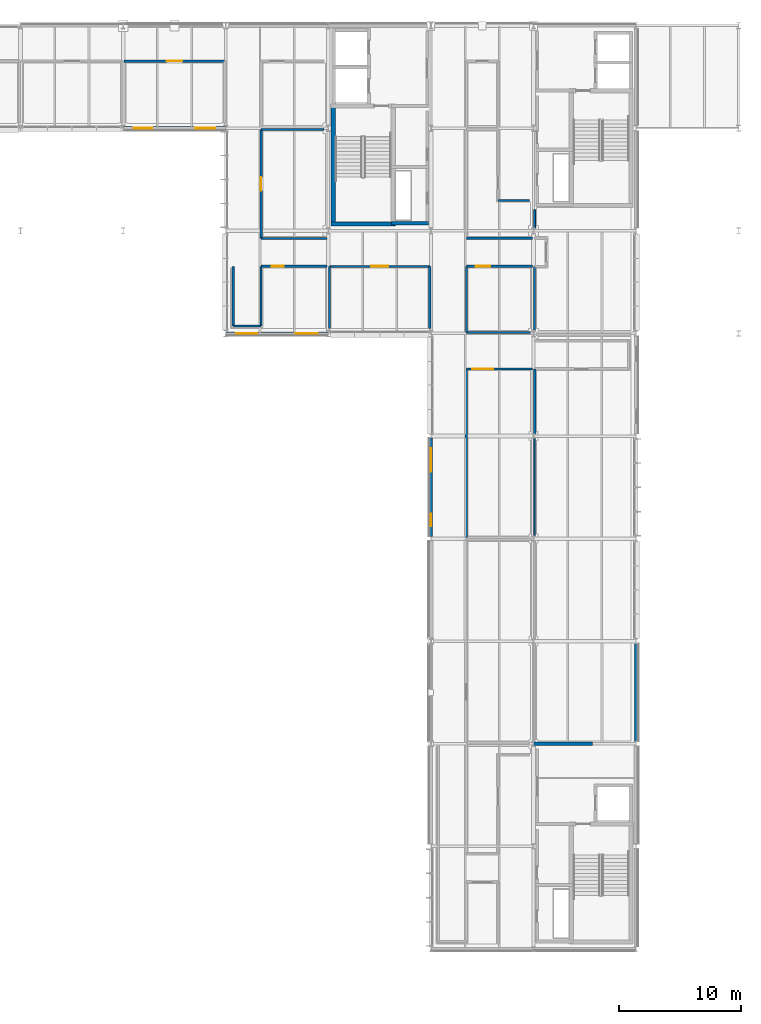
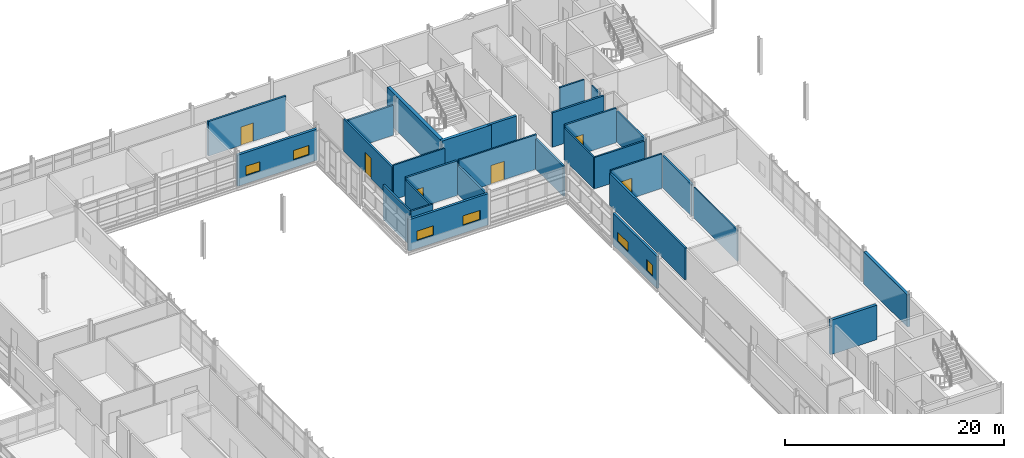
# One storey, part 112 of 131: 30 walls, 6 doors, 6 windows, 12 openings.
"""IFC4 building model written with IfcOpenShell, lengths in metres."""

from ifc_helpers import new_model, si_unit, direction, frame, frame_2d, origin, place, context, subcontext, project, spatial, rectangle, extrude, material, layer, layer_set, type_object, element, fill, save


model = new_model("IFC4")

# Units and contexts
model_context = context("Model", 3, precision=1e-05, world=origin(), true_north=direction((0.0, 1.0)))
body_context = subcontext(model_context, "Body", "Model", "MODEL_VIEW")
ifc_project = project(units=[si_unit("LENGTHUNIT", "METRE"), si_unit("AREAUNIT", "SQUARE_METRE"), si_unit("VOLUMEUNIT", "CUBIC_METRE"), si_unit("PLANEANGLEUNIT", "RADIAN"), si_unit("MASSUNIT", "GRAM", prefix="KILO")], contexts=[model_context])

# Site, building, storey
site_placement = place(None, origin())
site = spatial("IfcSite", under=ifc_project, at=site_placement, CompositionType="ELEMENT")
building_placement = place(site_placement, origin())
building = spatial("IfcBuilding", under=site, at=building_placement, Name="Mersafa Astral City Hall", CompositionType="ELEMENT")
storey_placement = place(building_placement, frame((0.0, 0.0, 13.949951171875)))
storey = spatial("IfcBuildingStorey", under=building, at=storey_placement, Name="L03", CompositionType="ELEMENT", Elevation=13.949951171875)

# Wall, openings, windows
ifc_material_1 = material(Name="Precast concrete C40/50 insulated terracotta spandrel", Category="masonry")
ifc_layer_1 = layer(ifc_material_1, 0.235107421875, Name="Precast concrete C40/50 insulated terracotta spandrel")
ifc_layer_set_1 = layer_set([ifc_layer_1], Name="Precast concrete C40/50 insulated terracotta spandrel — ENV-WAL-EXT-235")
wall_type_1 = type_object("IfcWallType", Name="ENV-WAL-EXT-235", PredefinedType="STANDARD", material=ifc_layer_set_1)
wall_1_placement = place(storey_placement, frame((159.60009765625, 92.25390625, 0.0), z_axis=(0.0, 0.0, 1.0), x_axis=(0.0, -1.0, 0.0)))
wall_1 = element("IfcWall", 1, at=wall_1_placement, inside=storey, type_object=wall_type_1, Name="L03 Limestone-clad exterior wall 239", PredefinedType="STANDARD", context=body_context, shape_type="SweptSolid", body=[
    extrude(rectangle(XDim=8.087890625, YDim=0.235107421875, at=frame_2d((4.0439453125, 0.0))), origin(), (0.0, 0.0, 1.0), 3.56201171875),
])
opening_1_placement = place(wall_1_placement, frame((0.85009765625, 0.0, 0.89990234375)))
opening_1 = element("IfcOpeningElement", 2, at=opening_1_placement, cuts=wall_1, Name="Opening W-10", PredefinedType="OPENING", context=body_context, shape_type="SweptSolid", body=[
    extrude(rectangle(XDim=1.919921875, YDim=1.050048828125, at=frame_2d((0.9599609375, 0.52490234375))), frame((0.0, 0.12744140625, 0.0), z_axis=(0.0, -1.0, 0.0), x_axis=(1.0, 0.0, 0.0)), (0.0, 0.0, 1.0), 0.255126953125),
])
opening_2_placement = place(wall_1_placement, frame((6.218017578125, 0.0, 0.89990234375)))
opening_2 = element("IfcOpeningElement", 3, at=opening_2_placement, cuts=wall_1, Name="Opening W-11", PredefinedType="OPENING", context=body_context, shape_type="SweptSolid", body=[
    extrude(rectangle(XDim=1.02001953125, YDim=1.25, at=frame_2d((0.510009765625, 0.625))), frame((0.0, 0.12744140625, 0.0), z_axis=(0.0, -1.0, 0.0), x_axis=(1.0, 0.0, 0.0)), (0.0, 0.0, 1.0), 0.255126953125),
])
ifc_material_2 = material(Name="Solar control low-e double glazing in bronze frame", Category="glass")
window_type_1 = type_object("IfcWindowType", Name="ENV-WIN-W-10", PartitioningType="SINGLE_PANEL", PredefinedType="WINDOW", material=ifc_material_2)
window_1_placement = place(opening_1_placement, origin())
window_1 = element("IfcWindow", 4, at=window_1_placement, inside=storey, type_object=window_type_1, Name="L03 Solar punched window 239-L", OverallHeight=1.050048828125, OverallWidth=1.919921875, PartitioningType="SINGLE_PANEL", PredefinedType="WINDOW", context=body_context, shape_type="SweptSolid", body=[
    extrude(rectangle(XDim=1.919921875, YDim=1.050048828125, at=frame_2d((0.9599609375, 0.52490234375))), frame((0.0, 0.030029296875, 0.0), z_axis=(0.0, -1.0, 0.0), x_axis=(1.0, 0.0, 0.0)), (0.0, 0.0, 1.0), 0.06005859375),
])
fill(opening_1, window_1)
window_type_2 = type_object("IfcWindowType", Name="ENV-WIN-W-11", PartitioningType="SINGLE_PANEL", PredefinedType="WINDOW", material=ifc_material_2)
window_2_placement = place(opening_2_placement, origin())
window_2 = element("IfcWindow", 5, at=window_2_placement, inside=storey, type_object=window_type_2, Name="L03 Solar punched window 239-R", OverallHeight=1.25, OverallWidth=1.02001953125, PartitioningType="SINGLE_PANEL", PredefinedType="WINDOW", context=body_context, shape_type="SweptSolid", body=[
    extrude(rectangle(XDim=1.02001953125, YDim=1.25, at=frame_2d((0.510009765625, 0.625))), frame((0.0, 0.030029296875, 0.0), z_axis=(0.0, -1.0, 0.0), x_axis=(1.0, 0.0, 0.0)), (0.0, 0.0, 1.0), 0.06005859375),
])
fill(opening_2, window_2)

ifc_layer_2 = layer(ifc_material_1, 0.25, Name="Precast concrete C40/50 insulated terracotta spandrel")
ifc_layer_set_2 = layer_set([ifc_layer_2], Name="Precast concrete C40/50 insulated terracotta spandrel — ENV-WAL-EXT-250")
wall_type_2 = type_object("IfcWallType", Name="ENV-WAL-EXT-250", PredefinedType="STANDARD", material=ifc_layer_set_2)
wall_2_placement = place(storey_placement, frame((142.80810546875, 100.800048828125, 0.0), z_axis=(0.0, 0.0, 1.0), x_axis=(1.0, 0.0, 0.0)))
wall_2 = element("IfcWall", 6, at=wall_2_placement, inside=storey, type_object=wall_type_2, Name="L03 Limestone-clad exterior wall 238", PredefinedType="STANDARD", context=body_context, shape_type="SweptSolid", body=[
    extrude(rectangle(XDim=8.3837890625, YDim=0.25, at=frame_2d((4.19189453125, 0.0))), origin(), (0.0, 0.0, 1.0), 3.51708984375),
])
opening_3_placement = place(wall_2_placement, frame((0.85009765625, 0.0, 0.89990234375)))
opening_3 = element("IfcOpeningElement", 7, at=opening_3_placement, cuts=wall_2, Name="Opening W-08", PredefinedType="OPENING", context=body_context, shape_type="SweptSolid", body=[
    extrude(rectangle(XDim=1.719970703125, YDim=1.050048828125, at=frame_2d((0.85986328125, 0.52490234375))), frame((0.0, 0.135009765625, 0.0), z_axis=(0.0, -1.0, 0.0), x_axis=(1.0, 0.0, 0.0)), (0.0, 0.0, 1.0), 0.27001953125),
])
opening_4_placement = place(wall_2_placement, frame((5.714111328125, 0.0, 0.89990234375)))
opening_4 = element("IfcOpeningElement", 8, at=opening_4_placement, cuts=wall_2, Name="Opening W-09", PredefinedType="OPENING", context=body_context, shape_type="SweptSolid", body=[
    extrude(rectangle(XDim=1.820068359375, YDim=1.050048828125, at=frame_2d((0.91015625, 0.52490234375))), frame((0.0, 0.135009765625, 0.0), z_axis=(0.0, -1.0, 0.0), x_axis=(1.0, 0.0, 0.0)), (0.0, 0.0, 1.0), 0.27001953125),
])
window_type_3 = type_object("IfcWindowType", Name="ENV-WIN-W-08", PartitioningType="SINGLE_PANEL", PredefinedType="WINDOW", material=ifc_material_2)
window_3_placement = place(opening_3_placement, origin())
window_3 = element("IfcWindow", 9, at=window_3_placement, inside=storey, type_object=window_type_3, Name="L03 Solar punched window 238-L", OverallHeight=1.050048828125, OverallWidth=1.719970703125, PartitioningType="SINGLE_PANEL", PredefinedType="WINDOW", context=body_context, shape_type="SweptSolid", body=[
    extrude(rectangle(XDim=1.719970703125, YDim=1.050048828125, at=frame_2d((0.85986328125, 0.52490234375))), frame((0.0, 0.030029296875, 0.0), z_axis=(0.0, -1.0, 0.0), x_axis=(1.0, 0.0, 0.0)), (0.0, 0.0, 1.0), 0.06005859375),
])
fill(opening_3, window_3)
window_type_4 = type_object("IfcWindowType", Name="ENV-WIN-W-09", PartitioningType="SINGLE_PANEL", PredefinedType="WINDOW", material=ifc_material_2)
window_4_placement = place(opening_4_placement, origin())
window_4 = element("IfcWindow", 10, at=window_4_placement, inside=storey, type_object=window_type_4, Name="L03 Solar punched window 238-R", OverallHeight=1.050048828125, OverallWidth=1.820068359375, PartitioningType="SINGLE_PANEL", PredefinedType="WINDOW", context=body_context, shape_type="SweptSolid", body=[
    extrude(rectangle(XDim=1.820068359375, YDim=1.050048828125, at=frame_2d((0.91015625, 0.52490234375))), frame((0.0, 0.030029296875, 0.0), z_axis=(0.0, -1.0, 0.0), x_axis=(1.0, 0.0, 0.0)), (0.0, 0.0, 1.0), 0.06005859375),
])
fill(opening_4, window_4)

ifc_material_3 = material(Name="Precast concrete C40/50 insulated limestone wall", Category="masonry")
ifc_layer_3 = layer(ifc_material_3, 0.264892578125, Name="Precast concrete C40/50 insulated limestone wall")
ifc_layer_set_3 = layer_set([ifc_layer_3], Name="Precast concrete C40/50 insulated limestone wall — ENV-WAL-EXT-265")
wall_type_3 = type_object("IfcWallType", Name="ENV-WAL-EXT-265", PredefinedType="STANDARD", material=ifc_layer_set_3)
wall_3_placement = place(storey_placement, frame((134.407958984375, 117.60009765625, 0.0), z_axis=(0.0, 0.0, 1.0), x_axis=(1.0, 0.0, 0.0)))
wall_3 = element("IfcWall", 11, at=wall_3_placement, inside=storey, type_object=wall_type_3, Name="L03 Limestone-clad exterior wall 237", PredefinedType="STANDARD", context=body_context, shape_type="SweptSolid", body=[
    extrude(rectangle(XDim=8.384033203125, YDim=0.264892578125, at=frame_2d((4.19189453125, 0.0))), origin(), (0.0, 0.0, 1.0), 3.487060546875),
])
opening_5_placement = place(wall_3_placement, frame((0.85009765625, 0.0, 0.89990234375)))
opening_5 = element("IfcOpeningElement", 12, at=opening_5_placement, cuts=wall_3, Name="Opening W-06", PredefinedType="OPENING", context=body_context, shape_type="SweptSolid", body=[
    extrude(rectangle(XDim=1.52001953125, YDim=1.050048828125, at=frame_2d((0.760009765625, 0.52490234375))), frame((0.0, 0.142333984375, 0.0), z_axis=(0.0, -1.0, 0.0), x_axis=(1.0, 0.0, 0.0)), (0.0, 0.0, 1.0), 0.284912109375),
])
opening_6_placement = place(wall_3_placement, frame((5.9140625, 0.0, 0.89990234375)))
opening_6 = element("IfcOpeningElement", 13, at=opening_6_placement, cuts=wall_3, Name="Opening W-07", PredefinedType="OPENING", context=body_context, shape_type="SweptSolid", body=[
    extrude(rectangle(XDim=1.6201171875, YDim=1.050048828125, at=frame_2d((0.81005859375, 0.52490234375))), frame((0.0, 0.142333984375, 0.0), z_axis=(0.0, -1.0, 0.0), x_axis=(1.0, 0.0, 0.0)), (0.0, 0.0, 1.0), 0.284912109375),
])
window_type_5 = type_object("IfcWindowType", Name="ENV-WIN-W-06", PartitioningType="SINGLE_PANEL", PredefinedType="WINDOW", material=ifc_material_2)
window_5_placement = place(opening_5_placement, origin())
window_5 = element("IfcWindow", 14, at=window_5_placement, inside=storey, type_object=window_type_5, Name="L03 Solar punched window 237-L", OverallHeight=1.050048828125, OverallWidth=1.52001953125, PartitioningType="SINGLE_PANEL", PredefinedType="WINDOW", context=body_context, shape_type="SweptSolid", body=[
    extrude(rectangle(XDim=1.52001953125, YDim=1.050048828125, at=frame_2d((0.760009765625, 0.52490234375))), frame((0.0, 0.030029296875, 0.0), z_axis=(0.0, -1.0, 0.0), x_axis=(1.0, 0.0, 0.0)), (0.0, 0.0, 1.0), 0.06005859375),
])
fill(opening_5, window_5)
window_type_6 = type_object("IfcWindowType", Name="ENV-WIN-W-07", PartitioningType="SINGLE_PANEL", PredefinedType="WINDOW", material=ifc_material_2)
window_6_placement = place(opening_6_placement, origin())
window_6 = element("IfcWindow", 15, at=window_6_placement, inside=storey, type_object=window_type_6, Name="L03 Solar punched window 237-R", OverallHeight=1.050048828125, OverallWidth=1.6201171875, PartitioningType="SINGLE_PANEL", PredefinedType="WINDOW", context=body_context, shape_type="SweptSolid", body=[
    extrude(rectangle(XDim=1.6201171875, YDim=1.050048828125, at=frame_2d((0.81005859375, 0.52490234375))), frame((0.0, 0.030029296875, 0.0), z_axis=(0.0, -1.0, 0.0), x_axis=(1.0, 0.0, 0.0)), (0.0, 0.0, 1.0), 0.06005859375),
])
fill(opening_6, window_6)

# Walls
ifc_layer_4 = layer(ifc_material_3, 0.294921875, Name="Precast concrete C40/50 insulated limestone wall")
ifc_layer_set_4 = layer_set([ifc_layer_4], Name="Precast concrete C40/50 insulated limestone wall — ENV-WAL-EXT-295")
wall_type_4 = type_object("IfcWallType", Name="ENV-WAL-EXT-295", PredefinedType="STANDARD", material=ifc_layer_set_4)
wall_4_placement = place(storey_placement, frame((176.39990234375, 67.39599609375, 0.0), z_axis=(0.0, 0.0, 1.0), x_axis=(0.0, 1.0, 0.0)))
element("IfcWall", 16, at=wall_4_placement, inside=storey, type_object=wall_type_4, Name="L03 Limestone-clad exterior wall 247", PredefinedType="STANDARD", context=body_context, shape_type="SweptSolid", body=[
    extrude(rectangle(XDim=8.008056640625, YDim=0.294921875, at=frame_2d((4.00390625, 0.0))), origin(), (0.0, 0.0, 1.0), 3.5771484375),
])
ifc_material_4 = material(Name="Concrete C40/50", Category="concrete")
ifc_layer_5 = layer(ifc_material_4, 0.260009765625, Name="Concrete C40/50")
ifc_layer_set_5 = layer_set([ifc_layer_5], Name="Concrete C40/50 — INT-WAL-CORE-260")
wall_type_5 = type_object("IfcWallType", Name="INT-WAL-CORE-260", PredefinedType="SHEAR", material=ifc_layer_set_5)
wall_5_placement = place(storey_placement, frame((156.364990234375, 109.820068359375, 0.0), z_axis=(0.0, 0.0, 1.0), x_axis=(1.0, 0.0, 0.0)))
element("IfcWall", 17, at=wall_5_placement, inside=storey, type_object=wall_type_5, Name="L03 Core K1 riser south wall", PredefinedType="SHEAR", context=body_context, shape_type="SweptSolid", body=[
    extrude(rectangle(XDim=3.034912109375, YDim=0.260009765625, at=frame_2d((1.517578125, 0.0))), origin(), (0.0, 0.0, 1.0), 3.85009765625),
])
ifc_layer_6 = layer(ifc_material_4, 0.300048828125, Name="Concrete C40/50")
ifc_layer_set_6 = layer_set([ifc_layer_6], Name="Concrete C40/50 — INT-WAL-CORE-300")
wall_type_6 = type_object("IfcWallType", Name="INT-WAL-CORE-300", PredefinedType="SHEAR", material=ifc_layer_set_6)
wall_6_placement = place(storey_placement, frame((167.97998046875, 67.2099609375, 0.0), z_axis=(0.0, 0.0, 1.0), x_axis=(1.0, 0.0, 0.0)))
element("IfcWall", 18, at=wall_6_placement, inside=storey, type_object=wall_type_6, Name="L03 Core K4 lobby north shear wall", PredefinedType="SHEAR", context=body_context, shape_type="SweptSolid", body=[
    extrude(rectangle(XDim=4.8701171875, YDim=0.300048828125, at=frame_2d((2.43505859375, 0.0))), origin(), (0.0, 0.0, 1.0), 3.85009765625),
])
ifc_layer_7 = layer(ifc_material_4, 0.340087890625, Name="Concrete C40/50")
ifc_layer_set_7 = layer_set([ifc_layer_7], Name="Concrete C40/50 — INT-WAL-CORE-340")
wall_type_7 = type_object("IfcWallType", Name="INT-WAL-CORE-340", PredefinedType="SHEAR", material=ifc_layer_set_7)
wall_7_placement = place(storey_placement, frame((151.60498046875, 109.60498046875, 0.0), z_axis=(0.0, 0.0, 1.0), x_axis=(0.0, 1.0, 0.0)))
element("IfcWall", 19, at=wall_7_placement, inside=storey, type_object=wall_type_7, Name="L03 Core K1 stair west shear wall", PredefinedType="SHEAR", context=body_context, shape_type="SweptSolid", body=[
    extrude(rectangle(XDim=9.989990234375, YDim=0.340087890625, at=frame_2d((4.9951171875, 0.0))), origin(), (0.0, 0.0, 1.0), 3.85009765625),
])
wall_8_placement = place(storey_placement, frame((151.43505859375, 109.77490234375, 0.0), z_axis=(0.0, 0.0, 1.0), x_axis=(1.0, 0.0, 0.0)))
element("IfcWall", 20, at=wall_8_placement, inside=storey, type_object=wall_type_7, Name="L03 Core K1 stair south shear wall", PredefinedType="SHEAR", context=body_context, shape_type="SweptSolid", body=[
    extrude(rectangle(XDim=5.25, YDim=0.340087890625, at=frame_2d((2.625, 0.0))), origin(), (0.0, 0.0, 1.0), 3.85009765625),
])
ifc_material_5 = material(Name="Acoustic steel-stud gypsum partition", Category="steel")
ifc_layer_8 = layer(ifc_material_5, 0.135009765625, Name="Acoustic steel-stud gypsum partition")
ifc_layer_set_8 = layer_set([ifc_layer_8], Name="Acoustic steel-stud gypsum partition — INT-WAL-PART-EI30-135")
wall_type_8 = type_object("IfcWallType", Name="INT-WAL-PART-EI30-135", PredefinedType="STANDARD", material=ifc_layer_set_8)
wall_9_placement = place(storey_placement, frame((168.090087890625, 84.260009765625, -0.00390625), z_axis=(0.0, 0.0, 1.0), x_axis=(0.0, 1.0, 0.0)))
element("IfcWall", 21, at=wall_9_placement, inside=storey, type_object=wall_type_8, Name="L03 Interior partition wall 547", PredefinedType="STANDARD", context=body_context, shape_type="SweptSolid", body=[
    extrude(rectangle(XDim=7.966064453125, YDim=0.135009765625, at=frame_2d((3.98291015625, 0.0))), origin(), (0.0, 0.0, 1.0), 3.47607421875),
])
ifc_layer_9 = layer(ifc_material_5, 0.14990234375, Name="Acoustic steel-stud gypsum partition")
ifc_layer_set_9 = layer_set([ifc_layer_9], Name="Acoustic steel-stud gypsum partition — INT-WAL-PART-EI30-150")
wall_type_9 = type_object("IfcWallType", Name="INT-WAL-PART-EI30-150", PredefinedType="STANDARD", material=ifc_layer_set_9)
wall_10_placement = place(storey_placement, frame((168.090087890625, 109.4287109375, -0.00390625), z_axis=(0.0, 0.0, 1.0), x_axis=(0.0, 1.0, 0.0)))
element("IfcWall", 22, at=wall_10_placement, inside=storey, type_object=wall_type_9, Name="L03 Interior partition wall 582", PredefinedType="STANDARD", context=body_context, shape_type="SweptSolid", body=[
    extrude(rectangle(XDim=1.51123046875, YDim=0.14990234375, at=frame_2d((0.755615234375, 0.0))), origin(), (0.0, 0.0, 1.0), 3.5009765625),
])

# Wall, opening, door
ifc_material_6 = material(Name="Fire-rated gypsum stud partition", Category="gypsum")
ifc_layer_10 = layer(ifc_material_6, 0.1650390625, Name="Fire-rated gypsum stud partition")
ifc_layer_set_10 = layer_set([ifc_layer_10], Name="Fire-rated gypsum stud partition — INT-WAL-PART-EI60-165")
wall_type_10 = type_object("IfcWallType", Name="INT-WAL-PART-EI60-165", PredefinedType="STANDARD", material=ifc_layer_set_10)
wall_11_placement = place(storey_placement, frame((162.5, 97.89990234375, -0.00390625), z_axis=(0.0, 0.0, 1.0), x_axis=(1.0, 0.0, 0.0)))
wall_11 = element("IfcWall", 23, at=wall_11_placement, inside=storey, type_object=wall_type_10, Name="L03 Interior partition wall 583", PredefinedType="STANDARD", context=body_context, shape_type="SweptSolid", body=[
    extrude(rectangle(XDim=5.409912109375, YDim=0.1650390625, at=frame_2d((2.705078125, 0.0))), origin(), (0.0, 0.0, 1.0), 3.85400390625),
])
opening_7_placement = place(wall_11_placement, frame((0.492431640625, 0.0, 0.0)))
opening_7 = element("IfcOpeningElement", 24, at=opening_7_placement, cuts=wall_11, Name="Opening D-27", PredefinedType="OPENING", context=body_context, shape_type="SweptSolid", body=[
    extrude(rectangle(XDim=1.719970703125, YDim=2.219970703125, at=frame_2d((0.85986328125, 1.10986328125))), frame((0.0, 0.092529296875, 0.0), z_axis=(0.0, -1.0, 0.0), x_axis=(1.0, 0.0, 0.0)), (0.0, 0.0, 1.0), 0.18505859375),
])
ifc_material_7 = material(Name="Cedar veneered acoustic fire-rated timber door", Category="wood")
door_type_1 = type_object("IfcDoorType", Name="INT-DR-RM-D-27", OperationType="NOTDEFINED", PredefinedType="DOOR", material=ifc_material_7)
door_1_placement = place(opening_7_placement, origin())
door_1 = element("IfcDoor", 25, at=door_1_placement, inside=storey, type_object=door_type_1, Name="L03 Public Procurement Review Room L03-07 Entrance Door", OperationType="SINGLE_SWING_LEFT", OverallHeight=2.219970703125, OverallWidth=1.719970703125, PredefinedType="DOOR", context=body_context, shape_type="SweptSolid", body=[
    extrude(rectangle(XDim=1.719970703125, YDim=2.219970703125, at=frame_2d((0.85986328125, 1.10986328125))), frame((0.0, 0.02490234375, 0.0), z_axis=(0.0, -1.0, 0.0), x_axis=(1.0, 0.0, 0.0)), (0.0, 0.0, 1.0), 0.050048828125),
])
fill(opening_7, door_1)

# Wall
wall_12_placement = place(storey_placement, frame((151.110107421875, 108.580078125, -0.00390625), z_axis=(0.0, 0.0, 1.0), x_axis=(-1.0, 0.0, 0.0)))
element("IfcWall", 26, at=wall_12_placement, inside=storey, type_object=wall_type_10, Name="L03 Interior partition wall 607", PredefinedType="STANDARD", context=body_context, shape_type="SweptSolid", body=[
    extrude(rectangle(XDim=5.41015625, YDim=0.1650390625, at=frame_2d((2.705078125, 0.0))), origin(), (0.0, 0.0, 1.0), 3.85400390625),
])

# Wall, opening, door
wall_13_placement = place(storey_placement, frame((151.2900390625, 106.300048828125, -0.00390625), z_axis=(0.0, 0.0, 1.0), x_axis=(1.0, 0.0, 0.0)))
wall_13 = element("IfcWall", 27, at=wall_13_placement, inside=storey, type_object=wall_type_10, Name="L03 Interior partition wall 635", PredefinedType="STANDARD", context=body_context, shape_type="SweptSolid", body=[
    extrude(rectangle(XDim=8.219970703125, YDim=0.1650390625, at=frame_2d((4.10986328125, 0.0))), origin(), (0.0, 0.0, 1.0), 3.85400390625),
])
opening_8_placement = place(wall_13_placement, frame((3.409912109375, 0.0, 0.0)))
opening_8 = element("IfcOpeningElement", 28, at=opening_8_placement, cuts=wall_13, Name="Opening D-07", PredefinedType="OPENING", context=body_context, shape_type="SweptSolid", body=[
    extrude(rectangle(XDim=1.39990234375, YDim=2.06005859375, at=frame_2d((0.699951171875, 1.030029296875))), frame((0.0, 0.092529296875, 0.0), z_axis=(0.0, -1.0, 0.0), x_axis=(1.0, 0.0, 0.0)), (0.0, 0.0, 1.0), 0.18505859375),
])
door_type_2 = type_object("IfcDoorType", Name="INT-DR-RM-D-07", OperationType="NOTDEFINED", PredefinedType="DOOR", material=ifc_material_7)
door_2_placement = place(opening_8_placement, origin())
door_2 = element("IfcDoor", 29, at=door_2_placement, inside=storey, type_object=door_type_2, Name="L03 Standing Committee Room L03-23 Entrance Door", OperationType="SINGLE_SWING_LEFT", OverallHeight=2.06005859375, OverallWidth=1.39990234375, PredefinedType="DOOR", context=body_context, shape_type="SweptSolid", body=[
    extrude(rectangle(XDim=1.39990234375, YDim=2.06005859375, at=frame_2d((0.699951171875, 1.030029296875))), frame((0.0, 0.02490234375, 0.0), z_axis=(0.0, -1.0, 0.0), x_axis=(1.0, 0.0, 0.0)), (0.0, 0.0, 1.0), 0.050048828125),
])
fill(opening_8, door_2)

# Walls
wall_14_placement = place(storey_placement, frame((165.10009765625, 111.699951171875, -0.00390625), z_axis=(0.0, 0.0, 1.0), x_axis=(1.0, 0.0, 0.0)))
element("IfcWall", 30, at=wall_14_placement, inside=storey, type_object=wall_type_10, Name="L03 Interior partition wall 643", PredefinedType="STANDARD", context=body_context, shape_type="SweptSolid", body=[
    extrude(rectangle(XDim=2.559814453125, YDim=0.1650390625, at=frame_2d((1.27978515625, 0.0))), origin(), (0.0, 0.0, 1.0), 3.85400390625),
])
wall_15_placement = place(storey_placement, frame((145.699951171875, 101.419921875, -0.00390625), z_axis=(0.0, 0.0, 1.0), x_axis=(0.0, 1.0, 0.0)))
element("IfcWall", 31, at=wall_15_placement, inside=storey, type_object=wall_type_10, Name="L03 Interior partition wall 647", PredefinedType="STANDARD", context=body_context, shape_type="SweptSolid", body=[
    extrude(rectangle(XDim=4.880126953125, YDim=0.1650390625, at=frame_2d((2.43994140625, 0.0))), origin(), (0.0, 0.0, 1.0), 3.61083984375),
])
wall_16_placement = place(storey_placement, frame((162.5, 100.889892578125, -0.00390625), z_axis=(0.0, 0.0, 1.0), x_axis=(0.0, 1.0, 0.0)))
element("IfcWall", 32, at=wall_16_placement, inside=storey, type_object=wall_type_10, Name="L03 Interior partition wall 655", PredefinedType="STANDARD", context=body_context, shape_type="SweptSolid", body=[
    extrude(rectangle(XDim=5.41015625, YDim=0.1650390625, at=frame_2d((2.705078125, 0.0))), origin(), (0.0, 0.0, 1.0), 3.551025390625),
])
ifc_material_8 = material(Name="Acoustic twin-stud gypsum partition", Category="gypsum")
ifc_layer_11 = layer(ifc_material_8, 0.179931640625, Name="Acoustic twin-stud gypsum partition")
ifc_layer_set_11 = layer_set([ifc_layer_11], Name="Acoustic twin-stud gypsum partition — INT-WAL-PART-EI60-180")
wall_type_11 = type_object("IfcWallType", Name="INT-WAL-PART-EI60-180", PredefinedType="STANDARD", material=ifc_layer_set_11)
wall_17_placement = place(storey_placement, frame((168.090087890625, 101.02880859375, -0.00390625), z_axis=(0.0, 0.0, 1.0), x_axis=(0.0, 1.0, 0.0)))
element("IfcWall", 33, at=wall_17_placement, inside=storey, type_object=wall_type_11, Name="L03 Interior partition wall 578", PredefinedType="STANDARD", context=body_context, shape_type="SweptSolid", body=[
    extrude(rectangle(XDim=5.271240234375, YDim=0.179931640625, at=frame_2d((2.6357421875, 0.0))), origin(), (0.0, 0.0, 1.0), 3.450927734375),
])
wall_18_placement = place(storey_placement, frame((145.699951171875, 117.510009765625, -0.00390625), z_axis=(0.0, 0.0, 1.0), x_axis=(1.0, 0.0, 0.0)))
element("IfcWall", 34, at=wall_18_placement, inside=storey, type_object=wall_type_11, Name="L03 Interior partition wall 606", PredefinedType="STANDARD", context=body_context, shape_type="SweptSolid", body=[
    extrude(rectangle(XDim=5.16015625, YDim=0.179931640625, at=frame_2d((2.580078125, 0.0))), origin(), (0.0, 0.0, 1.0), 3.35107421875),
])
wall_19_placement = place(storey_placement, frame((151.2900390625, 101.219970703125, -0.00390625), z_axis=(0.0, 0.0, 1.0), x_axis=(0.0, 1.0, 0.0)))
element("IfcWall", 35, at=wall_19_placement, inside=storey, type_object=wall_type_11, Name="L03 Interior partition wall 634", PredefinedType="STANDARD", context=body_context, shape_type="SweptSolid", body=[
    extrude(rectangle(XDim=5.080078125, YDim=0.179931640625, at=frame_2d((2.5400390625, 0.0))), origin(), (0.0, 0.0, 1.0), 3.2509765625),
])
wall_20_placement = place(storey_placement, frame((143.419921875, 101.419921875, -0.00390625), z_axis=(0.0, 0.0, 1.0), x_axis=(1.0, 0.0, 0.0)))
element("IfcWall", 36, at=wall_20_placement, inside=storey, type_object=wall_type_11, Name="L03 Interior partition wall 646", PredefinedType="STANDARD", context=body_context, shape_type="SweptSolid", body=[
    extrude(rectangle(XDim=2.280029296875, YDim=0.179931640625, at=frame_2d((1.14013671875, 0.0))), origin(), (0.0, 0.0, 1.0), 3.85400390625),
])
wall_21_placement = place(storey_placement, frame((167.771240234375, 100.889892578125, -0.00390625), z_axis=(0.0, 0.0, 1.0), x_axis=(-1.0, 0.0, 0.0)))
element("IfcWall", 37, at=wall_21_placement, inside=storey, type_object=wall_type_11, Name="L03 Interior partition wall 654", PredefinedType="STANDARD", context=body_context, shape_type="SweptSolid", body=[
    extrude(rectangle(XDim=5.271240234375, YDim=0.179931640625, at=frame_2d((2.6357421875, 0.0))), origin(), (0.0, 0.0, 1.0), 3.505859375),
])

# Wall, opening, door
ifc_layer_12 = layer(ifc_material_8, 0.195068359375, Name="Acoustic twin-stud gypsum partition")
ifc_layer_set_12 = layer_set([ifc_layer_12], Name="Acoustic twin-stud gypsum partition — INT-WAL-PART-EI60-195")
wall_type_12 = type_object("IfcWallType", Name="INT-WAL-PART-EI60-195", PredefinedType="STANDARD", material=ifc_layer_set_12)
wall_22_placement = place(storey_placement, frame((145.699951171875, 108.580078125, -0.00390625), z_axis=(0.0, 0.0, 1.0), x_axis=(0.0, 1.0, 0.0)))
wall_22 = element("IfcWall", 38, at=wall_22_placement, inside=storey, type_object=wall_type_12, Name="L03 Interior partition wall 605", PredefinedType="STANDARD", context=body_context, shape_type="SweptSolid", body=[
    extrude(rectangle(XDim=8.929931640625, YDim=0.195068359375, at=frame_2d((4.46484375, 0.0))), origin(), (0.0, 0.0, 1.0), 3.61083984375),
])
opening_9_placement = place(wall_22_placement, frame((3.9150390625, 0.0, 0.0)))
opening_9 = element("IfcOpeningElement", 39, at=opening_9_placement, cuts=wall_22, Name="Opening D-31", PredefinedType="OPENING", context=body_context, shape_type="SweptSolid", body=[
    extrude(rectangle(XDim=1.10009765625, YDim=2.300048828125, at=frame_2d((0.550048828125, 1.14990234375))), frame((0.0, 0.107421875, 0.0), z_axis=(0.0, -1.0, 0.0), x_axis=(1.0, 0.0, 0.0)), (0.0, 0.0, 1.0), 0.215087890625),
])
door_type_3 = type_object("IfcDoorType", Name="INT-DR-RM-D-31", OperationType="NOTDEFINED", PredefinedType="DOOR", material=ifc_material_7)
door_3_placement = place(opening_9_placement, origin())
door_3 = element("IfcDoor", 40, at=door_3_placement, inside=storey, type_object=door_type_3, Name="L03 Urban Planning Studio L03-11 Entrance Door", OperationType="SINGLE_SWING_LEFT", OverallHeight=2.300048828125, OverallWidth=1.10009765625, PredefinedType="DOOR", context=body_context, shape_type="SweptSolid", body=[
    extrude(rectangle(XDim=1.10009765625, YDim=2.300048828125, at=frame_2d((0.550048828125, 1.14990234375))), frame((0.0, 0.02490234375, 0.0), z_axis=(0.0, -1.0, 0.0), x_axis=(1.0, 0.0, 0.0)), (0.0, 0.0, 1.0), 0.050048828125),
])
fill(opening_9, door_3)

# Wall
wall_23_placement = place(storey_placement, frame((143.419921875, 106.300048828125, -0.00390625), z_axis=(0.0, 0.0, 1.0), x_axis=(0.0, -1.0, 0.0)))
element("IfcWall", 41, at=wall_23_placement, inside=storey, type_object=wall_type_12, Name="L03 Interior partition wall 645", PredefinedType="STANDARD", context=body_context, shape_type="SweptSolid", body=[
    extrude(rectangle(XDim=4.880126953125, YDim=0.195068359375, at=frame_2d((2.43994140625, 0.0))), origin(), (0.0, 0.0, 1.0), 3.85400390625),
])

# Wall, opening, door
wall_24_placement = place(storey_placement, frame((162.5, 106.300048828125, -0.00390625), z_axis=(0.0, 0.0, 1.0), x_axis=(1.0, 0.0, 0.0)))
wall_24 = element("IfcWall", 42, at=wall_24_placement, inside=storey, type_object=wall_type_12, Name="L03 Interior partition wall 653", PredefinedType="STANDARD", context=body_context, shape_type="SweptSolid", body=[
    extrude(rectangle(XDim=5.409912109375, YDim=0.195068359375, at=frame_2d((2.705078125, 0.0))), origin(), (0.0, 0.0, 1.0), 3.85400390625),
])
opening_10_placement = place(wall_24_placement, frame((0.762451171875, 0.0, 0.0)))
opening_10 = element("IfcOpeningElement", 43, at=opening_10_placement, cuts=wall_24, Name="Opening D-14", PredefinedType="OPENING", context=body_context, shape_type="SweptSolid", body=[
    extrude(rectangle(XDim=1.179931640625, YDim=2.139892578125, at=frame_2d((0.58984375, 1.06982421875))), frame((0.0, 0.107421875, 0.0), z_axis=(0.0, -1.0, 0.0), x_axis=(1.0, 0.0, 0.0)), (0.0, 0.0, 1.0), 0.215087890625),
])
door_type_4 = type_object("IfcDoorType", Name="INT-DR-RM-D-14", OperationType="NOTDEFINED", PredefinedType="DOOR", material=ifc_material_7)
door_4_placement = place(opening_10_placement, origin())
door_4 = element("IfcDoor", 44, at=door_4_placement, inside=storey, type_object=door_type_4, Name="L03 Civil Engineering Directorate Office L03-30 Entrance Door", OperationType="SINGLE_SWING_RIGHT", OverallHeight=2.139892578125, OverallWidth=1.179931640625, PredefinedType="DOOR", context=body_context, shape_type="SweptSolid", body=[
    extrude(rectangle(XDim=1.179931640625, YDim=2.139892578125, at=frame_2d((0.58984375, 1.06982421875))), frame((0.0, 0.02490234375, 0.0), z_axis=(0.0, -1.0, 0.0), x_axis=(1.0, 0.0, 0.0)), (0.0, 0.0, 1.0), 0.050048828125),
])
fill(opening_10, door_4)

# Walls
ifc_material_9 = material(Name="Autoclaved aerated concrete blockwork plastered", Category="masonry")
ifc_layer_13 = layer(ifc_material_9, 0.2099609375, Name="Autoclaved aerated concrete blockwork plastered")
ifc_layer_set_13 = layer_set([ifc_layer_13], Name="Autoclaved aerated concrete blockwork plastered — INT-WAL-PART-EI60-210")
wall_type_13 = type_object("IfcWallType", Name="INT-WAL-PART-EI60-210", PredefinedType="STANDARD", material=ifc_layer_set_13)
wall_25_placement = place(storey_placement, frame((168.090087890625, 92.573974609375, -0.00390625), z_axis=(0.0, 0.0, 1.0), x_axis=(0.0, 1.0, 0.0)))
element("IfcWall", 45, at=wall_25_placement, inside=storey, type_object=wall_type_13, Name="L03 Interior partition wall 548", PredefinedType="STANDARD", context=body_context, shape_type="SweptSolid", body=[
    extrude(rectangle(XDim=5.325927734375, YDim=0.2099609375, at=frame_2d((2.6630859375, 0.0))), origin(), (0.0, 0.0, 1.0), 3.56591796875),
])
wall_26_placement = place(storey_placement, frame((162.5, 84.090087890625, -0.00390625), z_axis=(0.0, 0.0, 1.0), x_axis=(0.0, 1.0, 0.0)))
element("IfcWall", 46, at=wall_26_placement, inside=storey, type_object=wall_type_13, Name="L03 Interior partition wall 584", PredefinedType="STANDARD", context=body_context, shape_type="SweptSolid", body=[
    extrude(rectangle(XDim=13.809814453125, YDim=0.2099609375, at=frame_2d((6.90478515625, 0.0))), origin(), (0.0, 0.0, 1.0), 3.56591796875),
])

# Wall, opening, door
wall_27_placement = place(storey_placement, frame((134.489990234375, 123.10009765625, -0.00390625), z_axis=(0.0, 0.0, 1.0), x_axis=(1.0, 0.0, 0.0)))
wall_27 = element("IfcWall", 47, at=wall_27_placement, inside=storey, type_object=wall_type_13, Name="L03 Interior partition wall 632", PredefinedType="STANDARD", context=body_context, shape_type="SweptSolid", body=[
    extrude(rectangle(XDim=8.219970703125, YDim=0.2099609375, at=frame_2d((4.10986328125, 0.0))), origin(), (0.0, 0.0, 1.0), 3.85400390625),
])
opening_11_placement = place(wall_27_placement, frame((3.469970703125, 0.0, 0.0)))
opening_11 = element("IfcOpeningElement", 48, at=opening_11_placement, cuts=wall_27, Name="Opening D-06", PredefinedType="OPENING", context=body_context, shape_type="SweptSolid", body=[
    extrude(rectangle(XDim=1.280029296875, YDim=2.06005859375, at=frame_2d((0.64013671875, 1.030029296875))), frame((0.0, 0.114990234375, 0.0), z_axis=(0.0, -1.0, 0.0), x_axis=(1.0, 0.0, 0.0)), (0.0, 0.0, 1.0), 0.22998046875),
])
door_type_5 = type_object("IfcDoorType", Name="INT-DR-RM-D-06", OperationType="NOTDEFINED", PredefinedType="DOOR", material=ifc_material_7)
door_5_placement = place(opening_11_placement, origin())
door_5 = element("IfcDoor", 49, at=door_5_placement, inside=storey, type_object=door_type_5, Name="L03 Municipal Finance & Treasury Office L03-22 Entrance Door", OperationType="SINGLE_SWING_RIGHT", OverallHeight=2.06005859375, OverallWidth=1.280029296875, PredefinedType="DOOR", context=body_context, shape_type="SweptSolid", body=[
    extrude(rectangle(XDim=1.280029296875, YDim=2.06005859375, at=frame_2d((0.64013671875, 1.030029296875))), frame((0.0, 0.02490234375, 0.0), z_axis=(0.0, -1.0, 0.0), x_axis=(1.0, 0.0, 0.0)), (0.0, 0.0, 1.0), 0.050048828125),
])
fill(opening_11, door_5)

# Walls
wall_28_placement = place(storey_placement, frame((159.510009765625, 106.300048828125, -0.00390625), z_axis=(0.0, 0.0, 1.0), x_axis=(0.0, -1.0, 0.0)))
element("IfcWall", 50, at=wall_28_placement, inside=storey, type_object=wall_type_13, Name="L03 Interior partition wall 636", PredefinedType="STANDARD", context=body_context, shape_type="SweptSolid", body=[
    extrude(rectangle(XDim=5.080078125, YDim=0.2099609375, at=frame_2d((2.5400390625, 0.0))), origin(), (0.0, 0.0, 1.0), 3.36083984375),
])
wall_29_placement = place(storey_placement, frame((167.909912109375, 108.580078125, -0.00390625), z_axis=(0.0, 0.0, 1.0), x_axis=(-1.0, 0.0, 0.0)))
element("IfcWall", 51, at=wall_29_placement, inside=storey, type_object=wall_type_13, Name="L03 Interior partition wall 644", PredefinedType="STANDARD", context=body_context, shape_type="SweptSolid", body=[
    extrude(rectangle(XDim=5.409912109375, YDim=0.2099609375, at=frame_2d((2.705078125, 0.0))), origin(), (0.0, 0.0, 1.0), 3.85400390625),
])

# Wall, opening, door
wall_30_placement = place(storey_placement, frame((145.699951171875, 106.300048828125, -0.00390625), z_axis=(0.0, 0.0, 1.0), x_axis=(1.0, 0.0, 0.0)))
wall_30 = element("IfcWall", 52, at=wall_30_placement, inside=storey, type_object=wall_type_13, Name="L03 Interior partition wall 648", PredefinedType="STANDARD", context=body_context, shape_type="SweptSolid", body=[
    extrude(rectangle(XDim=5.41015625, YDim=0.2099609375, at=frame_2d((2.705078125, 0.0))), origin(), (0.0, 0.0, 1.0), 3.85400390625),
])
opening_12_placement = place(wall_30_placement, frame((0.862548828125, 0.0, 0.0)))
opening_12 = element("IfcOpeningElement", 53, at=opening_12_placement, cuts=wall_30, Name="Opening D-11", PredefinedType="OPENING", context=body_context, shape_type="SweptSolid", body=[
    extrude(rectangle(XDim=0.97998046875, YDim=2.139892578125, at=frame_2d((0.489990234375, 1.06982421875))), frame((0.0, 0.114990234375, 0.0), z_axis=(0.0, -1.0, 0.0), x_axis=(1.0, 0.0, 0.0)), (0.0, 0.0, 1.0), 0.22998046875),
])
door_type_6 = type_object("IfcDoorType", Name="INT-DR-RM-D-11", OperationType="NOTDEFINED", PredefinedType="DOOR", material=ifc_material_7)
door_6_placement = place(opening_12_placement, origin())
door_6 = element("IfcDoor", 54, at=door_6_placement, inside=storey, type_object=door_type_6, Name="L03 Public Restroom L03-27 Entrance Door", OperationType="SINGLE_SWING_LEFT", OverallHeight=2.139892578125, OverallWidth=0.97998046875, PredefinedType="DOOR", context=body_context, shape_type="SweptSolid", body=[
    extrude(rectangle(XDim=0.97998046875, YDim=2.139892578125, at=frame_2d((0.489990234375, 1.06982421875))), frame((0.0, 0.02490234375, 0.0), z_axis=(0.0, -1.0, 0.0), x_axis=(1.0, 0.0, 0.0)), (0.0, 0.0, 1.0), 0.050048828125),
])
fill(opening_12, door_6)

save(model, "model.ifc")
